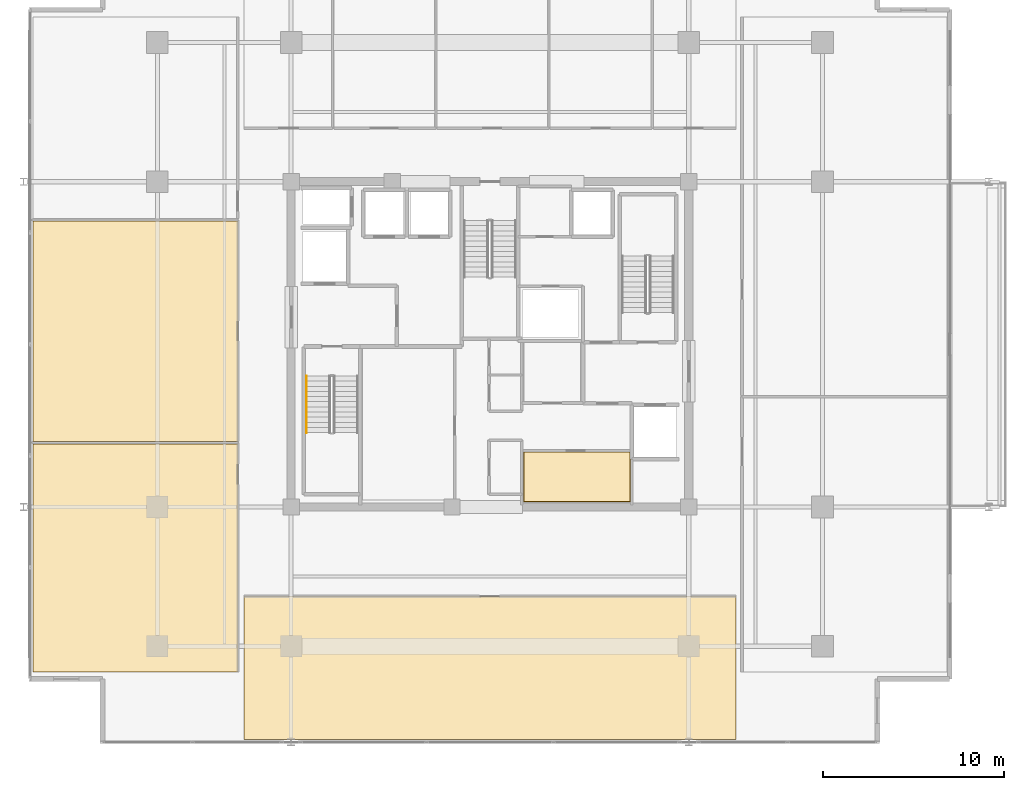
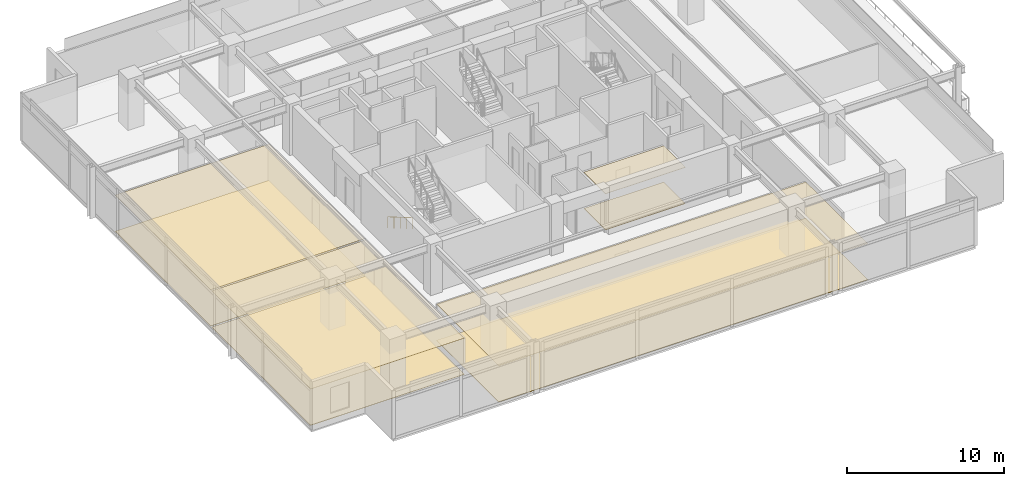
# One storey, part 17 of 20: 8 coverings, 1 railing.
"""IFC4 building model written with IfcOpenShell, lengths in metres."""

from ifc_helpers import new_model, si_unit, direction, frame, origin, origin_2d, place, context, subcontext, project, spatial, polyline, circle, outline, extrude, material, layer, layer_set, type_object, element, save


model = new_model("IFC4")

# Units and contexts
model_context = context("Model", 3, precision=1e-05, world=origin(), true_north=direction((0.0, 1.0)))
body_context = subcontext(model_context, "Body", "Model", "MODEL_VIEW")
ifc_project = project(units=[si_unit("LENGTHUNIT", "METRE"), si_unit("AREAUNIT", "SQUARE_METRE"), si_unit("VOLUMEUNIT", "CUBIC_METRE"), si_unit("PLANEANGLEUNIT", "RADIAN"), si_unit("MASSUNIT", "GRAM", prefix="KILO")], contexts=[model_context])

# Site, building, storey
site_placement = place(None, origin())
site = spatial("IfcSite", under=ifc_project, at=site_placement, CompositionType="ELEMENT")
building_placement = place(site_placement, origin())
building = spatial("IfcBuilding", under=site, at=building_placement, Name="Kovane Verandah Tower", CompositionType="ELEMENT")
storey_placement = place(building_placement, frame((0.0, 0.0, 287.199951171875)))
storey = spatial("IfcBuildingStorey", under=building, at=storey_placement, Name="L67", CompositionType="ELEMENT", Elevation=287.199951171875)

# Coverings
ifc_material_1 = material(Name="Perforated Acoustic Mineral-Fibre Ceiling Tile", Category="gypsum")
ifc_layer_1 = layer(ifc_material_1, 0.02490234375)
ifc_layer_set_1 = layer_set([ifc_layer_1], Name="Perforated Acoustic Mineral-Fibre Ceiling Tile")
covering_type_1 = type_object("IfcCoveringType", Name="CV-CEIL-25", PredefinedType="CEILING", material=ifc_layer_set_1)
covering_1_placement = place(storey_placement, frame((0.0, 0.0, 2.824951171875)))
element("IfcCovering", 1, at=covering_1_placement, inside=storey, type_object=covering_type_1, Name="L67 Records Vault Room Acoustic Ceiling", PredefinedType="CEILING", context=body_context, shape_type="SweptSolid", body=[
    extrude(outline(polyline([(41.864990234375, 18.784912109375), (47.764892578125, 18.784912109375), (47.764892578125, 21.56494140625), (41.864990234375, 21.56494140625), (41.864990234375, 18.784912109375)])), origin(), (0.0, 0.0, 1.0), 0.025146484375),
])
covering_2_placement = place(storey_placement, frame((0.0, 0.0, 2.824951171875)))
element("IfcCovering", 2, at=covering_2_placement, inside=storey, type_object=covering_type_1, Name="L67 Collaboration Hub S1 Acoustic Ceiling", PredefinedType="CEILING", context=body_context, shape_type="SweptSolid", body=[
    extrude(outline(polyline([(26.39990234375, 5.6357421875), (53.60009765625, 5.6357421875), (53.60009765625, 13.550048828125), (26.39990234375, 13.550048828125), (26.39990234375, 5.6357421875)])), origin(), (0.0, 0.0, 1.0), 0.025146484375),
])
covering_3_placement = place(storey_placement, frame((0.0, 0.0, 2.824951171875)))
element("IfcCovering", 3, at=covering_3_placement, inside=storey, type_object=covering_type_1, Name="L67 Document and Print Room W1 Acoustic Ceiling", PredefinedType="CEILING", context=body_context, shape_type="SweptSolid", body=[
    extrude(outline(polyline([(14.712646484375, 9.3857421875), (26.050048828125, 9.3857421875), (26.050048828125, 21.99560546875), (14.712646484375, 21.99560546875), (14.712646484375, 9.3857421875)])), origin(), (0.0, 0.0, 1.0), 0.025146484375),
])
covering_4_placement = place(storey_placement, frame((0.0, 0.0, 2.824951171875)))
element("IfcCovering", 4, at=covering_4_placement, inside=storey, type_object=covering_type_1, Name="L67 Open Plan Office W2 Acoustic Ceiling", PredefinedType="CEILING", context=body_context, shape_type="SweptSolid", body=[
    extrude(outline(polyline([(14.712646484375, 22.1357421875), (26.050048828125, 22.1357421875), (26.050048828125, 34.3134765625), (14.712646484375, 34.3134765625), (14.712646484375, 22.1357421875)])), origin(), (0.0, 0.0, 1.0), 0.025146484375),
])
ifc_material_2 = material(Name="Polished Terrazzo and Raised-Access Carpet Tile Finish", Category="concrete")
ifc_layer_2 = layer(ifc_material_2, 0.030029296875)
ifc_layer_set_2 = layer_set([ifc_layer_2], Name="Polished Terrazzo and Raised-Access Carpet Tile Finish")
covering_type_2 = type_object("IfcCoveringType", Name="CV-FLOR-30", PredefinedType="FLOORING", material=ifc_layer_set_2)
covering_5_placement = place(storey_placement, origin())
element("IfcCovering", 5, at=covering_5_placement, inside=storey, type_object=covering_type_2, Name="L67 Records Vault Room Floor Finish", PredefinedType="FLOORING", context=body_context, shape_type="SweptSolid", body=[
    extrude(outline(polyline([(41.8798828125, 18.800048828125), (47.75, 18.800048828125), (47.75, 21.550048828125), (41.8798828125, 21.550048828125), (41.8798828125, 18.800048828125)])), origin(), (0.0, 0.0, 1.0), 0.030029296875),
])
covering_6_placement = place(storey_placement, origin())
element("IfcCovering", 6, at=covering_6_placement, inside=storey, type_object=covering_type_2, Name="L67 Collaboration Hub S1 Floor Finish", PredefinedType="FLOORING", context=body_context, shape_type="SweptSolid", body=[
    extrude(outline(polyline([(26.39990234375, 5.6357421875), (53.60009765625, 5.6357421875), (53.60009765625, 13.550048828125), (26.39990234375, 13.550048828125), (26.39990234375, 5.6357421875)])), origin(), (0.0, 0.0, 1.0), 0.030029296875),
])
covering_7_placement = place(storey_placement, origin())
element("IfcCovering", 7, at=covering_7_placement, inside=storey, type_object=covering_type_2, Name="L67 Document and Print Room W1 Floor Finish", PredefinedType="FLOORING", context=body_context, shape_type="SweptSolid", body=[
    extrude(outline(polyline([(14.712646484375, 9.3857421875), (26.050048828125, 9.3857421875), (26.050048828125, 21.99560546875), (14.712646484375, 21.99560546875), (14.712646484375, 9.3857421875)])), origin(), (0.0, 0.0, 1.0), 0.030029296875),
])
covering_8_placement = place(storey_placement, origin())
element("IfcCovering", 8, at=covering_8_placement, inside=storey, type_object=covering_type_2, Name="L67 Open Plan Office W2 Floor Finish", PredefinedType="FLOORING", context=body_context, shape_type="SweptSolid", body=[
    extrude(outline(polyline([(14.712646484375, 22.1357421875), (26.050048828125, 22.1357421875), (26.050048828125, 34.3134765625), (14.712646484375, 34.3134765625), (14.712646484375, 22.1357421875)])), origin(), (0.0, 0.0, 1.0), 0.030029296875),
])

# Railing
ifc_material_3 = material(Name="Brushed Stainless Steel Handrail", Category="steel")
railing_type = type_object("IfcRailingType", Name="RL-HAND-920", PredefinedType="HANDRAIL", material=ifc_material_3)
railing_placement = place(storey_placement, frame((29.85009765625, 25.75, 0.166748046875)))
element("IfcRailing", 9, at=railing_placement, inside=storey, type_object=railing_type, Name="L67 ST-01 stair handrail 1", PredefinedType="HANDRAIL", context=body_context, shape_type="SweptSolid", body=[
    extrude(circle(Radius=0.02392578125, at=origin_2d()), frame((0.0, 0.0, 0.8759765625), z_axis=(0.0, -0.863239559939, 0.504794475164), x_axis=(1.0, 0.0, 0.0)), (0.0, 0.0, 1.0), 3.631591796875),
    extrude(circle(Radius=0.02099609375, at=origin_2d()), origin(), (0.0, 0.0, 1.0), 0.851806640625),
    extrude(circle(Radius=0.02099609375, at=origin_2d()), frame((0.0, -0.78369140625, 0.458251953125)), (0.0, 0.0, 1.0), 0.851806640625),
    extrude(circle(Radius=0.02099609375, at=origin_2d()), frame((0.0, -1.5673828125, 0.91650390625)), (0.0, 0.0, 1.0), 0.851806640625),
    extrude(circle(Radius=0.02099609375, at=origin_2d()), frame((0.0, -2.351318359375, 1.375)), (0.0, 0.0, 1.0), 0.851806640625),
    extrude(circle(Radius=0.02099609375, at=origin_2d()), frame((0.0, -3.135009765625, 1.833251953125)), (0.0, 0.0, 1.0), 0.851806640625),
])

save(model, "model.ifc")
